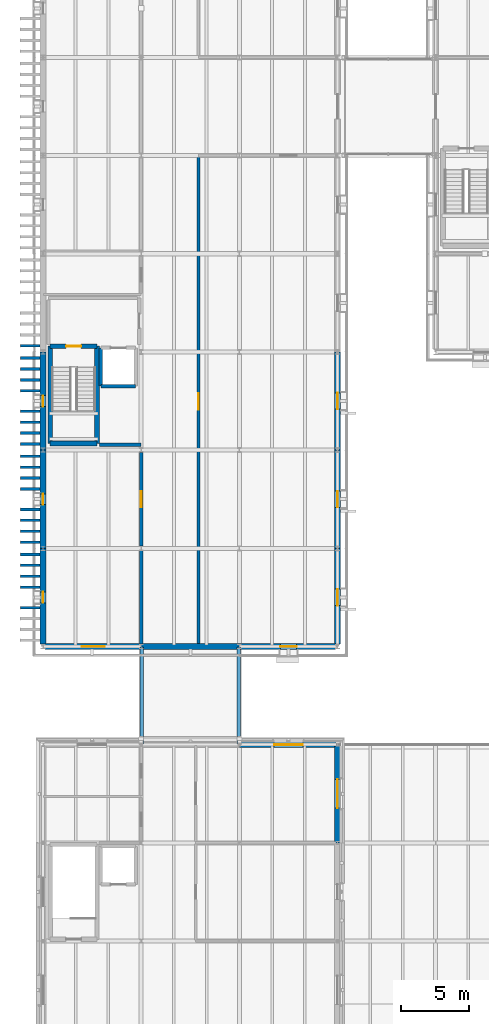
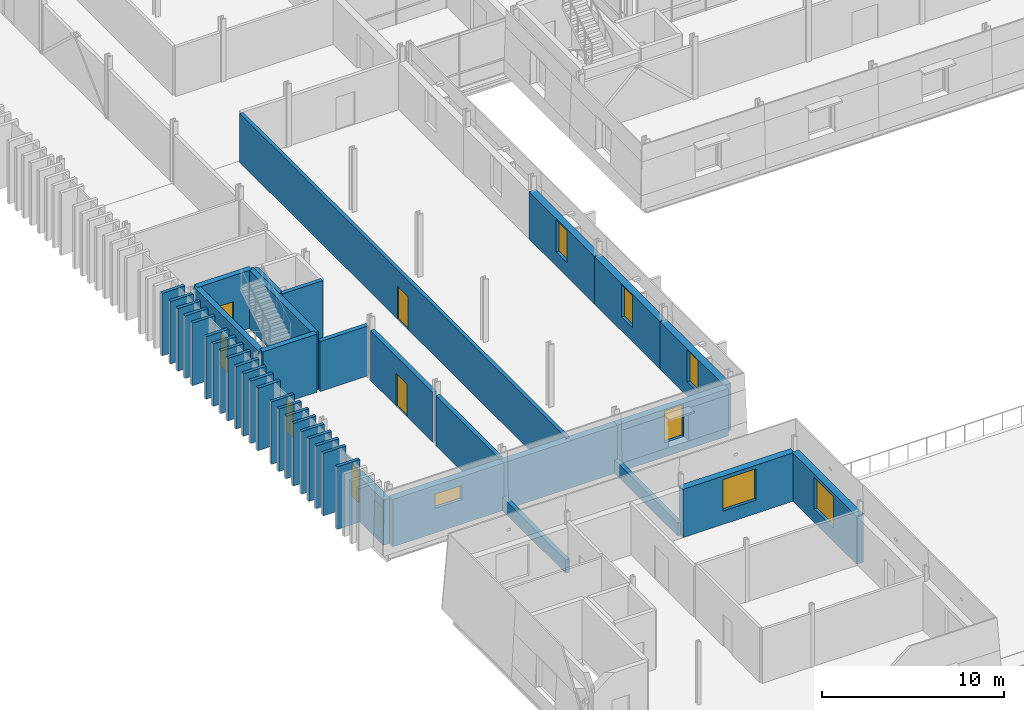
# One storey, part 66 of 115: 45 walls, 10 windows, 3 doors, 13 openings.
"""IFC4 building model written with IfcOpenShell, lengths in metres."""

from ifc_helpers import new_model, si_unit, direction, frame, frame_2d, origin, place, context, subcontext, project, spatial, rectangle, extrude, material, layer, layer_set, type_object, element, fill, save


model = new_model("IFC4")

# Units and contexts
model_context = context("Model", 3, precision=1e-05, world=origin(), true_north=direction((0.0, 1.0)))
body_context = subcontext(model_context, "Body", "Model", "MODEL_VIEW")
ifc_project = project(units=[si_unit("LENGTHUNIT", "METRE"), si_unit("AREAUNIT", "SQUARE_METRE"), si_unit("VOLUMEUNIT", "CUBIC_METRE"), si_unit("PLANEANGLEUNIT", "RADIAN"), si_unit("MASSUNIT", "GRAM", prefix="KILO")], contexts=[model_context])

# Site, building, storey
site_placement = place(None, origin())
site = spatial("IfcSite", under=ifc_project, at=site_placement, CompositionType="ELEMENT")
building_placement = place(site_placement, origin())
building = spatial("IfcBuilding", under=site, at=building_placement, Name="Narikvali Park Central Library", CompositionType="ELEMENT")
storey_placement = place(building_placement, frame((0.0, 0.0, 10.199951171875)))
storey = spatial("IfcBuildingStorey", under=building, at=storey_placement, Name="L02", CompositionType="ELEMENT", Elevation=10.199951171875)

# Wall, opening, door
ifc_material_1 = material(Name="Reinforced Masonry Blockwork C30/37", Category="masonry")
ifc_layer_1 = layer(ifc_material_1, 0.219970703125, Name="Reinforced Masonry Blockwork C30/37")
ifc_layer_set_1 = layer_set([ifc_layer_1], Name="Reinforced Masonry Blockwork C30/37")
wall_type_1 = type_object("IfcWallType", Name="Archive Fire-Resisting Partition 220", PredefinedType="SOLIDWALL", material=ifc_layer_set_1)
wall_1_placement = place(storey_placement, frame((11.39990234375, 28.85498046875, 0.0), z_axis=(0.0, 0.0, 1.0), x_axis=(0.0, 1.0, 0.0)))
wall_1 = element("IfcWall", 1, at=wall_1_placement, inside=storey, type_object=wall_type_1, Name="Closed Book Stacks L02 Partition W", PredefinedType="SOLIDWALL", context=body_context, shape_type="SweptSolid", body=[
    extrude(rectangle(XDim=35.8330078125, YDim=0.219970703125, at=frame_2d((17.91650390625, 0.0))), origin(), (0.0, 0.0, 1.0), 3.28515625),
])
opening_1_placement = place(wall_1_placement, frame((17.31640625, 0.0, 0.0)))
opening_1 = element("IfcOpeningElement", 2, at=opening_1_placement, cuts=wall_1, Name="Opening ID-0126", PredefinedType="OPENING", context=body_context, shape_type="SweptSolid", body=[
    extrude(rectangle(XDim=1.199951171875, YDim=2.199951171875, at=frame_2d((0.60009765625, 1.10009765625))), frame((0.0, 0.1220703125, 0.0), z_axis=(0.0, -1.0, 0.0), x_axis=(1.0, 0.0, 0.0)), (0.0, 0.0, 1.0), 0.243896484375),
])
ifc_material_2 = material(Name="Insulated Steel S355 Vault Leaf", Category="steel")
door_type_1 = type_object("IfcDoorType", Name="Archive Vault Heavy Fire Door 1200x2200", OperationType="SINGLE_SWING_LEFT", PredefinedType="DOOR", material=ifc_material_2)
door_1_placement = place(opening_1_placement, frame((1.199951171875, 0.0, 0.0), z_axis=(0.0, 0.0, 1.0), x_axis=(-1.0, 0.0, 0.0)))
door_1 = element("IfcDoor", 3, at=door_1_placement, inside=storey, type_object=door_type_1, Name="Closed Book Stacks L02 Door ID-0126", OperationType="SINGLE_SWING_RIGHT", OverallHeight=2.199951171875, OverallWidth=1.199951171875, PredefinedType="DOOR", context=body_context, shape_type="SweptSolid", body=[
    extrude(rectangle(XDim=1.199951171875, YDim=2.199951171875, at=frame_2d((0.60009765625, 1.10009765625))), frame((0.0, 0.02490234375, 0.0), z_axis=(0.0, -1.0, 0.0), x_axis=(1.0, 0.0, 0.0)), (0.0, 0.0, 1.0), 0.050048828125),
])
fill(opening_1, door_1)

# Walls
ifc_material_3 = material(Name="Kiln-Fired Terracotta Red Brick Masonry", Category="masonry")
ifc_layer_2 = layer(ifc_material_3, 0.199951171875, Name="Kiln-Fired Terracotta Red Brick Masonry")
ifc_layer_set_2 = layer_set([ifc_layer_2], Name="Kiln-Fired Terracotta Red Brick Masonry")
wall_type_2 = type_object("IfcWallType", Name="Kiln-Fired Red Brick Vertical Fin Wall 200", PredefinedType="SOLIDWALL", material=ifc_layer_set_2)
for number, where, z_axis, x_axis, name in (
    (4, (-1.659912109375, 31.64990234375, 0.0), (0.0, 0.0, 1.0), (1.0, 0.0, 0.0), "West Stacks Red Brick Vertical Fin Pier 015"),
    (5, (-1.659912109375, 33.14990234375, 0.0), (0.0, 0.0, 1.0), (1.0, 0.0, 0.0), "West Stacks Red Brick Vertical Fin Pier 019"),
    (6, (-1.659912109375, 33.949951171875, 0.0), (0.0, 0.0, 1.0), (1.0, 0.0, 0.0), "West Stacks Red Brick Vertical Fin Pier 023"),
    (7, (-1.659912109375, 34.75, 0.0), (0.0, 0.0, 1.0), (1.0, 0.0, 0.0), "West Stacks Red Brick Vertical Fin Pier 027"),
    (8, (-1.659912109375, 35.550048828125, 0.0), (0.0, 0.0, 1.0), (1.0, 0.0, 0.0), "West Stacks Red Brick Vertical Fin Pier 031"),
    (9, (-1.659912109375, 36.449951171875, 0.0), (0.0, 0.0, 1.0), (1.0, 0.0, 0.0), "West Stacks Red Brick Vertical Fin Pier 035"),
    (10, (-1.659912109375, 37.25, 0.0), (0.0, 0.0, 1.0), (1.0, 0.0, 0.0), "West Stacks Red Brick Vertical Fin Pier 040"),
    (11, (-1.659912109375, 38.050048828125, 0.0), (0.0, 0.0, 1.0), (1.0, 0.0, 0.0), "West Stacks Red Brick Vertical Fin Pier 045"),
    (12, (-1.659912109375, 38.85009765625, 0.0), (0.0, 0.0, 1.0), (1.0, 0.0, 0.0), "West Stacks Red Brick Vertical Fin Pier 050"),
    (13, (-1.659912109375, 40.35009765625, 0.0), (0.0, 0.0, 1.0), (1.0, 0.0, 0.0), "West Stacks Red Brick Vertical Fin Pier 055"),
    (14, (-1.659912109375, 41.14990234375, 0.0), (0.0, 0.0, 1.0), (1.0, 0.0, 0.0), "West Stacks Red Brick Vertical Fin Pier 060"),
    (15, (-1.659912109375, 41.949951171875, 0.0), (0.0, 0.0, 1.0), (1.0, 0.0, 0.0), "West Stacks Red Brick Vertical Fin Pier 065"),
    (16, (-1.659912109375, 42.75, 0.0), (0.0, 0.0, 1.0), (1.0, 0.0, 0.0), "West Stacks Red Brick Vertical Fin Pier 070"),
    (17, (-1.659912109375, 43.64990234375, 0.0), (0.0, 0.0, 1.0), (1.0, 0.0, 0.0), "West Stacks Red Brick Vertical Fin Pier 075"),
    (18, (-1.659912109375, 44.449951171875, 0.0), (0.0, 0.0, 1.0), (1.0, 0.0, 0.0), "West Stacks Red Brick Vertical Fin Pier 081"),
    (19, (-1.659912109375, 45.25, 0.0), (0.0, 0.0, 1.0), (1.0, 0.0, 0.0), "West Stacks Red Brick Vertical Fin Pier 087"),
    (20, (-1.659912109375, 46.050048828125, 0.0), (0.0, 0.0, 1.0), (1.0, 0.0, 0.0), "West Stacks Red Brick Vertical Fin Pier 093"),
    (21, (-1.659912109375, 47.550048828125, 0.0), (0.0, 0.0, 1.0), (1.0, 0.0, 0.0), "West Stacks Red Brick Vertical Fin Pier 099"),
    (22, (-1.659912109375, 48.35009765625, 0.0), (0.0, 0.0, 1.0), (1.0, 0.0, 0.0), "West Stacks Red Brick Vertical Fin Pier 105"),
    (23, (-1.659912109375, 49.14990234375, 0.0), (0.0, 0.0, 1.0), (1.0, 0.0, 0.0), "West Stacks Red Brick Vertical Fin Pier 111"),
    (24, (-1.659912109375, 49.949951171875, 0.0), (0.0, 0.0, 1.0), (1.0, 0.0, 0.0), "West Stacks Red Brick Vertical Fin Pier 117"),
    (25, (-1.659912109375, 50.85009765625, 0.0), (0.0, 0.0, 1.0), (1.0, 0.0, 0.0), "West Stacks Red Brick Vertical Fin Pier 123"),
):
    element("IfcWall", number, at=place(storey_placement, frame(where, z_axis=z_axis, x_axis=x_axis)), inside=storey, type_object=wall_type_2, Name=name, PredefinedType="SOLIDWALL", context=body_context, shape_type="SweptSolid", body=[
        extrude(rectangle(XDim=1.43994140625, YDim=0.199951171875, at=frame_2d((0.719970703125, 0.0))), origin(), (0.0, 0.0, 1.0), 4.199951171875),
    ])
ifc_material_4 = material(Name="High-Density Concrete Blockwork C35/45", Category="masonry")
ifc_layer_3 = layer(ifc_material_4, 0.27001953125, Name="High-Density Concrete Blockwork C35/45")
ifc_layer_set_3 = layer_set([ifc_layer_3], Name="High-Density Concrete Blockwork C35/45")
wall_type_3 = type_object("IfcWallType", Name="Rare Books Vault Partition Wall 270", PredefinedType="SOLIDWALL", material=ifc_layer_set_3)
wall_2_placement = place(storey_placement, frame((4.14697265625, 43.60009765625, 0.0), z_axis=(0.0, 0.0, 1.0), x_axis=(1.0, 0.0, 0.0)))
element("IfcWall", 26, at=wall_2_placement, inside=storey, type_object=wall_type_3, Name="Municipal Records Archive L02 Partition N", PredefinedType="SOLIDWALL", context=body_context, shape_type="SweptSolid", body=[
    extrude(rectangle(XDim=3.052978515625, YDim=0.27001953125, at=frame_2d((1.5263671875, 0.0))), origin(), (0.0, 0.0, 1.0), 3.344970703125),
])
wall_3_placement = place(storey_placement, frame((7.199951171875, 28.97412109375, 0.0), z_axis=(0.0, 0.0, 1.0), x_axis=(0.0, 1.0, 0.0)))
element("IfcWall", 27, at=wall_3_placement, inside=storey, type_object=wall_type_3, Name="Municipal Records Archive L02 Partition E", PredefinedType="SOLIDWALL", context=body_context, shape_type="SweptSolid", body=[
    extrude(rectangle(XDim=6.851806640625, YDim=0.27001953125, at=frame_2d((3.42578125, 0.0))), origin(), (0.0, 0.0, 1.0), 3.344970703125),
])

# Wall, opening, door
wall_4_placement = place(storey_placement, frame((7.199951171875, 36.174072265625, 0.0), z_axis=(0.0, 0.0, 1.0), x_axis=(0.0, 1.0, 0.0)))
wall_4 = element("IfcWall", 28, at=wall_4_placement, inside=storey, type_object=wall_type_3, Name="Municipal Records Archive L02 Partition E", PredefinedType="SOLIDWALL", context=body_context, shape_type="SweptSolid", body=[
    extrude(rectangle(XDim=6.851806640625, YDim=0.27001953125, at=frame_2d((3.42578125, 0.0))), origin(), (0.0, 0.0, 1.0), 3.344970703125),
])
opening_2_placement = place(wall_4_placement, frame((2.825927734375, 0.0, 0.0)))
opening_2 = element("IfcOpeningElement", 29, at=opening_2_placement, cuts=wall_4, Name="Opening ID-0123", PredefinedType="OPENING", context=body_context, shape_type="SweptSolid", body=[
    extrude(rectangle(XDim=1.199951171875, YDim=2.199951171875, at=frame_2d((0.60009765625, 1.10009765625))), frame((0.0, 0.14697265625, 0.0), z_axis=(0.0, -1.0, 0.0), x_axis=(1.0, 0.0, 0.0)), (0.0, 0.0, 1.0), 0.2939453125),
])
door_2_placement = place(opening_2_placement, origin())
door_2 = element("IfcDoor", 30, at=door_2_placement, inside=storey, type_object=door_type_1, Name="Municipal Records Archive L02 Door ID-0123", OperationType="SINGLE_SWING_LEFT", OverallHeight=2.199951171875, OverallWidth=1.199951171875, PredefinedType="DOOR", context=body_context, shape_type="SweptSolid", body=[
    extrude(rectangle(XDim=1.199951171875, YDim=2.199951171875, at=frame_2d((0.60009765625, 1.10009765625))), frame((0.0, 0.02490234375, 0.0), z_axis=(0.0, -1.0, 0.0), x_axis=(1.0, 0.0, 0.0)), (0.0, 0.0, 1.0), 0.050048828125),
])
fill(opening_2, door_2)

# Walls
ifc_material_5 = material(Name="Concrete C40/50", Category="concrete")
ifc_layer_4 = layer(ifc_material_5, 0.35009765625, Name="Concrete C40/50")
ifc_layer_set_4 = layer_set([ifc_layer_4], Name="Concrete C40/50")
wall_type_4 = type_object("IfcWallType", Name="Reinforced Concrete Core Shear Wall 350", PredefinedType="SHEAR", material=ifc_layer_set_4)
wall_5_placement = place(storey_placement, frame((0.530029296875, 43.679931640625, 0.0), z_axis=(0.0, 0.0, 1.0), x_axis=(1.0, 0.0, 0.0)))
element("IfcWall", 31, at=wall_5_placement, inside=storey, type_object=wall_type_4, Name="C5A L02 Stair Core Shear Wall S", PredefinedType="SHEAR", context=body_context, shape_type="SweptSolid", body=[
    extrude(rectangle(XDim=3.43994140625, YDim=0.35009765625, at=frame_2d((1.719970703125, 0.0))), origin(), (0.0, 0.0, 1.0), 3.900146484375),
])
wall_6_placement = place(storey_placement, frame((3.969970703125, 43.679931640625, 0.0), z_axis=(0.0, 0.0, 1.0), x_axis=(0.0, 1.0, 0.0)))
element("IfcWall", 32, at=wall_6_placement, inside=storey, type_object=wall_type_4, Name="C5A L02 Stair Core Shear Wall E", PredefinedType="SHEAR", context=body_context, shape_type="SweptSolid", body=[
    extrude(rectangle(XDim=7.14013671875, YDim=0.35009765625, at=frame_2d((3.570068359375, 0.0))), origin(), (0.0, 0.0, 1.0), 3.900146484375),
])

# Wall, opening, door
wall_7_placement = place(storey_placement, frame((3.969970703125, 50.820068359375, 0.0), z_axis=(0.0, 0.0, 1.0), x_axis=(-1.0, 0.0, 0.0)))
wall_7 = element("IfcWall", 33, at=wall_7_placement, inside=storey, type_object=wall_type_4, Name="C5A L02 Stair Core Shear Wall N", PredefinedType="SHEAR", context=body_context, shape_type="SweptSolid", body=[
    extrude(rectangle(XDim=3.43994140625, YDim=0.35009765625, at=frame_2d((1.719970703125, 0.0))), origin(), (0.0, 0.0, 1.0), 3.900146484375),
])
opening_3_placement = place(wall_7_placement, frame((1.169921875, 0.0, 0.0)))
opening_3 = element("IfcOpeningElement", 34, at=opening_3_placement, cuts=wall_7, Name="Opening SD-042", PredefinedType="OPENING", context=body_context, shape_type="SweptSolid", body=[
    extrude(rectangle(XDim=1.10009765625, YDim=2.14990234375, at=frame_2d((0.550048828125, 1.074951171875))), frame((0.0, 0.18701171875, 0.0), z_axis=(0.0, -1.0, 0.0), x_axis=(1.0, 0.0, 0.0)), (0.0, 0.0, 1.0), 0.3740234375),
])
ifc_material_6 = material(Name="Powder-Coated Steel S275 Fire Leaf", Category="steel")
door_type_2 = type_object("IfcDoorType", Name="Stair Core Smoke-Control Fire Door 1100x2150", OperationType="SINGLE_SWING_LEFT", PredefinedType="DOOR", material=ifc_material_6)
door_3_placement = place(opening_3_placement, frame((1.10009765625, 0.0, 0.0), z_axis=(0.0, 0.0, 1.0), x_axis=(-1.0, 0.0, 0.0)))
door_3 = element("IfcDoor", 35, at=door_3_placement, inside=storey, type_object=door_type_2, Name="ST-09 L02 Stair Exit Door SD-042", OperationType="SINGLE_SWING_RIGHT", OverallHeight=2.14990234375, OverallWidth=1.10009765625, PredefinedType="DOOR", context=body_context, shape_type="SweptSolid", body=[
    extrude(rectangle(XDim=1.10009765625, YDim=2.14990234375, at=frame_2d((0.550048828125, 1.074951171875))), frame((0.0, 0.02490234375, 0.0), z_axis=(0.0, -1.0, 0.0), x_axis=(1.0, 0.0, 0.0)), (0.0, 0.0, 1.0), 0.050048828125),
])
fill(opening_3, door_3)

# Walls
wall_8_placement = place(storey_placement, frame((0.530029296875, 50.820068359375, 0.0), z_axis=(0.0, 0.0, 1.0), x_axis=(0.0, -1.0, 0.0)))
element("IfcWall", 36, at=wall_8_placement, inside=storey, type_object=wall_type_4, Name="C5A L02 Stair Core Shear Wall W", PredefinedType="SHEAR", context=body_context, shape_type="SweptSolid", body=[
    extrude(rectangle(XDim=7.14013671875, YDim=0.35009765625, at=frame_2d((3.570068359375, 0.0))), origin(), (0.0, 0.0, 1.0), 3.900146484375),
])
ifc_layer_5 = layer(ifc_material_5, 0.25, Name="Concrete C40/50")
ifc_layer_set_5 = layer_set([ifc_layer_5], Name="Concrete C40/50")
wall_type_5 = type_object("IfcWallType", Name="Reinforced Concrete Lift Shaft Wall 250", PredefinedType="SHEAR", material=ifc_layer_set_5)
wall_9_placement = place(storey_placement, frame((4.25, 47.89990234375, 0.0), z_axis=(0.0, 0.0, 1.0), x_axis=(1.0, 0.0, 0.0)))
element("IfcWall", 37, at=wall_9_placement, inside=storey, type_object=wall_type_5, Name="FF-01 L02 Lift Shaft Wall S", PredefinedType="SHEAR", context=body_context, shape_type="SweptSolid", body=[
    extrude(rectangle(XDim=2.550048828125, YDim=0.25, at=frame_2d((1.27490234375, 0.0))), origin(), (0.0, 0.0, 1.0), 3.900146484375),
])
wall_10_placement = place(storey_placement, frame((4.25, 50.699951171875, 0.0), z_axis=(0.0, 0.0, 1.0), x_axis=(0.0, -1.0, 0.0)))
element("IfcWall", 38, at=wall_10_placement, inside=storey, type_object=wall_type_5, Name="FF-01 L02 Lift Shaft Wall W", PredefinedType="SHEAR", context=body_context, shape_type="SweptSolid", body=[
    extrude(rectangle(XDim=2.800048828125, YDim=0.25, at=frame_2d((1.39990234375, 0.0))), origin(), (0.0, 0.0, 1.0), 3.900146484375),
])
ifc_material_7 = material(Name="White Honed Limestone over Concrete C35/45", Category="masonry")
ifc_layer_6 = layer(ifc_material_7, 0.260009765625, Name="White Honed Limestone over Concrete C35/45")
ifc_layer_set_6 = layer_set([ifc_layer_6], Name="White Honed Limestone over Concrete C35/45")
wall_type_6 = type_object("IfcWallType", Name="Terrace Garden Parapet Wall 260", PredefinedType="PARAPET", material=ifc_layer_set_6)
for number, where, z_axis, x_axis, name in (
    (39, (14.360107421875, 21.639892578125, 0.0), (0.0, 0.0, 1.0), (0.0, 1.0, 0.0), "BRG-5 Roof Parapet E"),
    (40, (7.239990234375, 28.760009765625, 0.0), (0.0, 0.0, 1.0), (0.0, -1.0, 0.0), "BRG-5 Roof Parapet W"),
):
    element("IfcWall", number, at=place(storey_placement, frame(where, z_axis=z_axis, x_axis=x_axis)), inside=storey, type_object=wall_type_6, Name=name, PredefinedType="PARAPET", context=body_context, shape_type="SweptSolid", body=[
        extrude(rectangle(XDim=7.1201171875, YDim=0.260009765625, at=frame_2d((3.56005859375, 0.0))), origin(), (0.0, 0.0, 1.0), 0.900146484375),
    ])

# Wall, opening, window
ifc_layer_7 = layer(ifc_material_7, 0.43994140625, Name="White Honed Limestone over Concrete C35/45")
ifc_layer_set_7 = layer_set([ifc_layer_7], Name="White Honed Limestone over Concrete C35/45")
wall_type_7 = type_object("IfcWallType", Name="White Limestone Battered Tier2 Wall 440", PredefinedType="SOLIDWALL", material=ifc_layer_set_7)
wall_11_placement = place(storey_placement, frame((21.60009765625, 14.39990234375, 0.0), z_axis=(0.0, 0.0, 1.0), x_axis=(0.0, 1.0, 0.0)))
wall_11 = element("IfcWall", 41, at=wall_11_placement, inside=storey, type_object=wall_type_7, Name="V2 L02 E Exterior Limestone Wall B03", PredefinedType="SOLIDWALL", context=body_context, shape_type="SweptSolid", body=[
    extrude(rectangle(XDim=7.086181640625, YDim=0.43994140625, at=frame_2d((3.54296875, 0.0))), origin(), (0.0, 0.0, 1.0), 3.239990234375),
])
opening_4_placement = place(wall_11_placement, frame((2.550048828125, 0.0, 0.89990234375)))
opening_4 = element("IfcOpeningElement", 42, at=opening_4_placement, cuts=wall_11, Name="Opening WIN-0071", PredefinedType="OPENING", context=body_context, shape_type="SweptSolid", body=[
    extrude(rectangle(XDim=2.10009765625, YDim=2.10009765625, at=frame_2d((1.050048828125, 1.050048828125))), frame((0.0, 0.23193359375, 0.0), z_axis=(0.0, -1.0, 0.0), x_axis=(1.0, 0.0, 0.0)), (0.0, 0.0, 1.0), 0.4638671875),
])
ifc_material_8 = material(Name="Anodised Bronze Aluminium and Low-E Triple Glazing", Category="aluminium")
window_type_1 = type_object("IfcWindowType", Name="Children Pavilion Garden Window 2100x2100", PartitioningType="TRIPLE_PANEL_VERTICAL", PredefinedType="WINDOW", material=ifc_material_8)
window_1_placement = place(opening_4_placement, origin())
window_1 = element("IfcWindow", 43, at=window_1_placement, inside=storey, type_object=window_type_1, Name="V2 L02 E Deep-Reveal Window WIN-0071", OverallHeight=2.10009765625, OverallWidth=2.10009765625, PartitioningType="SINGLE_PANEL", PredefinedType="WINDOW", context=body_context, shape_type="SweptSolid", body=[
    extrude(rectangle(XDim=2.10009765625, YDim=2.10009765625, at=frame_2d((1.050048828125, 1.050048828125))), frame((0.0, 0.030029296875, 0.0), z_axis=(0.0, -1.0, 0.0), x_axis=(1.0, 0.0, 0.0)), (0.0, 0.0, 1.0), 0.06005859375),
])
fill(opening_4, window_1)

wall_12_placement = place(storey_placement, frame((21.486083984375, 21.60009765625, 0.0), z_axis=(0.0, 0.0, 1.0), x_axis=(-1.0, 0.0, 0.0)))
wall_12 = element("IfcWall", 44, at=wall_12_placement, inside=storey, type_object=wall_type_7, Name="V2 L02 N Exterior Limestone Wall B01", PredefinedType="SOLIDWALL", context=body_context, shape_type="SweptSolid", body=[
    extrude(rectangle(XDim=7.086181640625, YDim=0.43994140625, at=frame_2d((3.54296875, 0.0))), origin(), (0.0, 0.0, 1.0), 3.239990234375),
])
opening_5_placement = place(wall_12_placement, frame((2.43603515625, 0.0, 0.89990234375)))
opening_5 = element("IfcOpeningElement", 45, at=opening_5_placement, cuts=wall_12, Name="Opening WIN-0072", PredefinedType="OPENING", context=body_context, shape_type="SweptSolid", body=[
    extrude(rectangle(XDim=2.10009765625, YDim=2.10009765625, at=frame_2d((1.050048828125, 1.050048828125))), frame((0.0, 0.23193359375, 0.0), z_axis=(0.0, -1.0, 0.0), x_axis=(1.0, 0.0, 0.0)), (0.0, 0.0, 1.0), 0.4638671875),
])
window_2_placement = place(opening_5_placement, origin())
window_2 = element("IfcWindow", 46, at=window_2_placement, inside=storey, type_object=window_type_1, Name="V2 L02 N Deep-Reveal Window WIN-0072", OverallHeight=2.10009765625, OverallWidth=2.10009765625, PartitioningType="SINGLE_PANEL", PredefinedType="WINDOW", context=body_context, shape_type="SweptSolid", body=[
    extrude(rectangle(XDim=2.10009765625, YDim=2.10009765625, at=frame_2d((1.050048828125, 1.050048828125))), frame((0.0, 0.030029296875, 0.0), z_axis=(0.0, -1.0, 0.0), x_axis=(1.0, 0.0, 0.0)), (0.0, 0.0, 1.0), 0.06005859375),
])
fill(opening_5, window_2)

wall_13_placement = place(storey_placement, frame((0.158935546875, 28.800048828125, 0.0), z_axis=(0.0, 0.0, 1.0), x_axis=(1.0, 0.0, 0.0)))
wall_13 = element("IfcWall", 47, at=wall_13_placement, inside=storey, type_object=wall_type_7, Name="V5 L02 S Exterior Limestone Wall B01", PredefinedType="SOLIDWALL", context=body_context, shape_type="SweptSolid", body=[
    extrude(rectangle(XDim=7.041015625, YDim=0.43994140625, at=frame_2d((3.5205078125, 0.0))), origin(), (0.0, 0.0, 1.0), 3.179931640625),
])
opening_6_placement = place(wall_13_placement, frame((2.67041015625, 0.0, 1.64990234375)))
opening_6 = element("IfcOpeningElement", 48, at=opening_6_placement, cuts=wall_13, Name="Opening SKY-07", PredefinedType="OPENING", context=body_context, shape_type="SweptSolid", body=[
    extrude(rectangle(XDim=1.699951171875, YDim=0.949951171875, at=frame_2d((0.85009765625, 0.47509765625))), frame((0.0, 0.23193359375, 0.0), z_axis=(0.0, -1.0, 0.0), x_axis=(1.0, 0.0, 0.0)), (0.0, 0.0, 1.0), 0.4638671875),
])
ifc_material_9 = material(Name="Laminated Solar-Control Skylight Glazing", Category="glass")
window_type_2 = type_object("IfcWindowType", Name="Gallery Roof Lantern Skylight 1700x1700", PartitioningType="SINGLE_PANEL", PredefinedType="SKYLIGHT", material=ifc_material_9)
window_3_placement = place(opening_6_placement, origin())
window_3 = element("IfcWindow", 49, at=window_3_placement, inside=storey, type_object=window_type_2, Name="V5 Clerestory Lantern Skylight SKY-07", OverallHeight=0.949951171875, OverallWidth=1.699951171875, PartitioningType="SINGLE_PANEL", PredefinedType="SKYLIGHT", context=body_context, shape_type="SweptSolid", body=[
    extrude(rectangle(XDim=1.699951171875, YDim=0.949951171875, at=frame_2d((0.85009765625, 0.47509765625))), frame((0.0, 0.030029296875, 0.0), z_axis=(0.0, -1.0, 0.0), x_axis=(1.0, 0.0, 0.0)), (0.0, 0.0, 1.0), 0.06005859375),
])
fill(opening_6, window_3)

# Wall
wall_14_placement = place(storey_placement, frame((7.199951171875, 28.800048828125, 0.0), z_axis=(0.0, 0.0, 1.0), x_axis=(1.0, 0.0, 0.0)))
element("IfcWall", 50, at=wall_14_placement, inside=storey, type_object=wall_type_7, Name="V5 L02 S Exterior Limestone Wall B02", PredefinedType="SOLIDWALL", context=body_context, shape_type="SweptSolid", body=[
    extrude(rectangle(XDim=7.199951171875, YDim=0.43994140625, at=frame_2d((3.60009765625, 0.0))), origin(), (0.0, 0.0, 1.0), 3.179931640625),
])

# Wall, opening, window
wall_15_placement = place(storey_placement, frame((14.39990234375, 28.800048828125, 0.0), z_axis=(0.0, 0.0, 1.0), x_axis=(1.0, 0.0, 0.0)))
wall_15 = element("IfcWall", 51, at=wall_15_placement, inside=storey, type_object=wall_type_7, Name="V5 L02 S Exterior Limestone Wall B03", PredefinedType="SOLIDWALL", context=body_context, shape_type="SweptSolid", body=[
    extrude(rectangle(XDim=7.041015625, YDim=0.43994140625, at=frame_2d((3.5205078125, 0.0))), origin(), (0.0, 0.0, 1.0), 3.179931640625),
])
opening_7_placement = place(wall_15_placement, frame((3.0, 0.0, 0.949951171875)))
opening_7 = element("IfcOpeningElement", 52, at=opening_7_placement, cuts=wall_15, Name="Opening WIN-0262", PredefinedType="OPENING", context=body_context, shape_type="SweptSolid", body=[
    extrude(rectangle(XDim=1.199951171875, YDim=2.14990234375, at=frame_2d((0.60009765625, 1.074951171875))), frame((0.0, 0.23193359375, 0.0), z_axis=(0.0, -1.0, 0.0), x_axis=(1.0, 0.0, 0.0)), (0.0, 0.0, 1.0), 0.4638671875),
])
window_type_3 = type_object("IfcWindowType", Name="Stacks Archive Deep-Reveal Punched Window 1200x2150", PartitioningType="SINGLE_PANEL", PredefinedType="WINDOW", material=ifc_material_8)
window_4_placement = place(opening_7_placement, origin())
window_4 = element("IfcWindow", 53, at=window_4_placement, inside=storey, type_object=window_type_3, Name="V5 L02 S Deep-Reveal Window WIN-0262", OverallHeight=2.14990234375, OverallWidth=1.199951171875, PartitioningType="SINGLE_PANEL", PredefinedType="WINDOW", context=body_context, shape_type="SweptSolid", body=[
    extrude(rectangle(XDim=1.199951171875, YDim=2.14990234375, at=frame_2d((0.60009765625, 1.074951171875))), frame((0.0, 0.030029296875, 0.0), z_axis=(0.0, -1.0, 0.0), x_axis=(1.0, 0.0, 0.0)), (0.0, 0.0, 1.0), 0.06005859375),
])
fill(opening_7, window_4)

wall_16_placement = place(storey_placement, frame((21.60009765625, 28.97412109375, 0.0), z_axis=(0.0, 0.0, 1.0), x_axis=(0.0, 1.0, 0.0)))
wall_16 = element("IfcWall", 54, at=wall_16_placement, inside=storey, type_object=wall_type_7, Name="V5 L02 E Exterior Limestone Wall B01", PredefinedType="SOLIDWALL", context=body_context, shape_type="SweptSolid", body=[
    extrude(rectangle(XDim=7.02587890625, YDim=0.43994140625, at=frame_2d((3.512939453125, 0.0))), origin(), (0.0, 0.0, 1.0), 3.179931640625),
])
opening_8_placement = place(wall_16_placement, frame((2.825927734375, 0.0, 0.949951171875)))
opening_8 = element("IfcOpeningElement", 55, at=opening_8_placement, cuts=wall_16, Name="Opening WIN-0263", PredefinedType="OPENING", context=body_context, shape_type="SweptSolid", body=[
    extrude(rectangle(XDim=1.199951171875, YDim=2.14990234375, at=frame_2d((0.60009765625, 1.074951171875))), frame((0.0, 0.23193359375, 0.0), z_axis=(0.0, -1.0, 0.0), x_axis=(1.0, 0.0, 0.0)), (0.0, 0.0, 1.0), 0.4638671875),
])
window_5_placement = place(opening_8_placement, origin())
window_5 = element("IfcWindow", 56, at=window_5_placement, inside=storey, type_object=window_type_3, Name="V5 L02 E Deep-Reveal Window WIN-0263", OverallHeight=2.14990234375, OverallWidth=1.199951171875, PartitioningType="SINGLE_PANEL", PredefinedType="WINDOW", context=body_context, shape_type="SweptSolid", body=[
    extrude(rectangle(XDim=1.199951171875, YDim=2.14990234375, at=frame_2d((0.60009765625, 1.074951171875))), frame((0.0, 0.030029296875, 0.0), z_axis=(0.0, -1.0, 0.0), x_axis=(1.0, 0.0, 0.0)), (0.0, 0.0, 1.0), 0.06005859375),
])
fill(opening_8, window_5)

wall_17_placement = place(storey_placement, frame((21.60009765625, 36.0, 0.0), z_axis=(0.0, 0.0, 1.0), x_axis=(0.0, 1.0, 0.0)))
wall_17 = element("IfcWall", 57, at=wall_17_placement, inside=storey, type_object=wall_type_7, Name="V5 L02 E Exterior Limestone Wall B02", PredefinedType="SOLIDWALL", context=body_context, shape_type="SweptSolid", body=[
    extrude(rectangle(XDim=7.199951171875, YDim=0.43994140625, at=frame_2d((3.60009765625, 0.0))), origin(), (0.0, 0.0, 1.0), 3.179931640625),
])
opening_9_placement = place(wall_17_placement, frame((3.0, 0.0, 0.949951171875)))
opening_9 = element("IfcOpeningElement", 58, at=opening_9_placement, cuts=wall_17, Name="Opening WIN-0264", PredefinedType="OPENING", context=body_context, shape_type="SweptSolid", body=[
    extrude(rectangle(XDim=1.199951171875, YDim=2.14990234375, at=frame_2d((0.60009765625, 1.074951171875))), frame((0.0, 0.23193359375, 0.0), z_axis=(0.0, -1.0, 0.0), x_axis=(1.0, 0.0, 0.0)), (0.0, 0.0, 1.0), 0.4638671875),
])
window_6_placement = place(opening_9_placement, origin())
window_6 = element("IfcWindow", 59, at=window_6_placement, inside=storey, type_object=window_type_3, Name="V5 L02 E Deep-Reveal Window WIN-0264", OverallHeight=2.14990234375, OverallWidth=1.199951171875, PartitioningType="SINGLE_PANEL", PredefinedType="WINDOW", context=body_context, shape_type="SweptSolid", body=[
    extrude(rectangle(XDim=1.199951171875, YDim=2.14990234375, at=frame_2d((0.60009765625, 1.074951171875))), frame((0.0, 0.030029296875, 0.0), z_axis=(0.0, -1.0, 0.0), x_axis=(1.0, 0.0, 0.0)), (0.0, 0.0, 1.0), 0.06005859375),
])
fill(opening_9, window_6)

wall_18_placement = place(storey_placement, frame((21.60009765625, 43.199951171875, 0.0), z_axis=(0.0, 0.0, 1.0), x_axis=(0.0, 1.0, 0.0)))
wall_18 = element("IfcWall", 60, at=wall_18_placement, inside=storey, type_object=wall_type_7, Name="V5 L02 E Exterior Limestone Wall B03", PredefinedType="SOLIDWALL", context=body_context, shape_type="SweptSolid", body=[
    extrude(rectangle(XDim=7.199951171875, YDim=0.43994140625, at=frame_2d((3.60009765625, 0.0))), origin(), (0.0, 0.0, 1.0), 3.179931640625),
])
opening_10_placement = place(wall_18_placement, frame((3.0, 0.0, 0.949951171875)))
opening_10 = element("IfcOpeningElement", 61, at=opening_10_placement, cuts=wall_18, Name="Opening WIN-0265", PredefinedType="OPENING", context=body_context, shape_type="SweptSolid", body=[
    extrude(rectangle(XDim=1.199951171875, YDim=2.14990234375, at=frame_2d((0.60009765625, 1.074951171875))), frame((0.0, 0.23193359375, 0.0), z_axis=(0.0, -1.0, 0.0), x_axis=(1.0, 0.0, 0.0)), (0.0, 0.0, 1.0), 0.4638671875),
])
window_7_placement = place(opening_10_placement, origin())
window_7 = element("IfcWindow", 62, at=window_7_placement, inside=storey, type_object=window_type_3, Name="V5 L02 E Deep-Reveal Window WIN-0265", OverallHeight=2.14990234375, OverallWidth=1.199951171875, PartitioningType="SINGLE_PANEL", PredefinedType="WINDOW", context=body_context, shape_type="SweptSolid", body=[
    extrude(rectangle(XDim=1.199951171875, YDim=2.14990234375, at=frame_2d((0.60009765625, 1.074951171875))), frame((0.0, 0.030029296875, 0.0), z_axis=(0.0, -1.0, 0.0), x_axis=(1.0, 0.0, 0.0)), (0.0, 0.0, 1.0), 0.06005859375),
])
fill(opening_10, window_7)

wall_19_placement = place(storey_placement, frame((0.0, 50.39990234375, 0.0), z_axis=(0.0, 0.0, 1.0), x_axis=(0.0, -1.0, 0.0)))
wall_19 = element("IfcWall", 63, at=wall_19_placement, inside=storey, type_object=wall_type_7, Name="V5 L02 W Exterior Limestone Wall B09", PredefinedType="SOLIDWALL", context=body_context, shape_type="SweptSolid", body=[
    extrude(rectangle(XDim=7.199951171875, YDim=0.43994140625, at=frame_2d((3.60009765625, 0.0))), origin(), (0.0, 0.0, 1.0), 3.02001953125),
])
opening_11_placement = place(wall_19_placement, frame((3.199951171875, 0.0, 0.949951171875)))
opening_11 = element("IfcOpeningElement", 64, at=opening_11_placement, cuts=wall_19, Name="Opening WIN-0281", PredefinedType="OPENING", context=body_context, shape_type="SweptSolid", body=[
    extrude(rectangle(XDim=0.800048828125, YDim=2.14990234375, at=frame_2d((0.39990234375, 1.074951171875))), frame((0.0, 0.23193359375, 0.0), z_axis=(0.0, -1.0, 0.0), x_axis=(1.0, 0.0, 0.0)), (0.0, 0.0, 1.0), 0.4638671875),
])
window_type_4 = type_object("IfcWindowType", Name="West Fin-Bay Narrow Carrel Slot Window 800x2150", PartitioningType="SINGLE_PANEL", PredefinedType="WINDOW", material=ifc_material_8)
window_8_placement = place(opening_11_placement, origin())
window_8 = element("IfcWindow", 65, at=window_8_placement, inside=storey, type_object=window_type_4, Name="V5 L02 W Deep-Reveal Window WIN-0281", OverallHeight=2.14990234375, OverallWidth=0.800048828125, PartitioningType="SINGLE_PANEL", PredefinedType="WINDOW", context=body_context, shape_type="SweptSolid", body=[
    extrude(rectangle(XDim=0.800048828125, YDim=2.14990234375, at=frame_2d((0.39990234375, 1.074951171875))), frame((0.0, 0.030029296875, 0.0), z_axis=(0.0, -1.0, 0.0), x_axis=(1.0, 0.0, 0.0)), (0.0, 0.0, 1.0), 0.06005859375),
])
fill(opening_11, window_8)

wall_20_placement = place(storey_placement, frame((0.0, 43.199951171875, 0.0), z_axis=(0.0, 0.0, 1.0), x_axis=(0.0, -1.0, 0.0)))
wall_20 = element("IfcWall", 66, at=wall_20_placement, inside=storey, type_object=wall_type_7, Name="V5 L02 W Exterior Limestone Wall B10", PredefinedType="SOLIDWALL", context=body_context, shape_type="SweptSolid", body=[
    extrude(rectangle(XDim=7.199951171875, YDim=0.43994140625, at=frame_2d((3.60009765625, 0.0))), origin(), (0.0, 0.0, 1.0), 3.02001953125),
])
opening_12_placement = place(wall_20_placement, frame((3.199951171875, 0.0, 0.949951171875)))
opening_12 = element("IfcOpeningElement", 67, at=opening_12_placement, cuts=wall_20, Name="Opening WIN-0282", PredefinedType="OPENING", context=body_context, shape_type="SweptSolid", body=[
    extrude(rectangle(XDim=0.800048828125, YDim=2.14990234375, at=frame_2d((0.39990234375, 1.074951171875))), frame((0.0, 0.23193359375, 0.0), z_axis=(0.0, -1.0, 0.0), x_axis=(1.0, 0.0, 0.0)), (0.0, 0.0, 1.0), 0.4638671875),
])
window_9_placement = place(opening_12_placement, origin())
window_9 = element("IfcWindow", 68, at=window_9_placement, inside=storey, type_object=window_type_4, Name="V5 L02 W Deep-Reveal Window WIN-0282", OverallHeight=2.14990234375, OverallWidth=0.800048828125, PartitioningType="SINGLE_PANEL", PredefinedType="WINDOW", context=body_context, shape_type="SweptSolid", body=[
    extrude(rectangle(XDim=0.800048828125, YDim=2.14990234375, at=frame_2d((0.39990234375, 1.074951171875))), frame((0.0, 0.030029296875, 0.0), z_axis=(0.0, -1.0, 0.0), x_axis=(1.0, 0.0, 0.0)), (0.0, 0.0, 1.0), 0.06005859375),
])
fill(opening_12, window_9)

wall_21_placement = place(storey_placement, frame((0.0, 36.0, 0.0), z_axis=(0.0, 0.0, 1.0), x_axis=(0.0, -1.0, 0.0)))
wall_21 = element("IfcWall", 69, at=wall_21_placement, inside=storey, type_object=wall_type_7, Name="V5 L02 W Exterior Limestone Wall B11", PredefinedType="SOLIDWALL", context=body_context, shape_type="SweptSolid", body=[
    extrude(rectangle(XDim=7.02587890625, YDim=0.43994140625, at=frame_2d((3.512939453125, 0.0))), origin(), (0.0, 0.0, 1.0), 3.02001953125),
])
opening_13_placement = place(wall_21_placement, frame((3.199951171875, 0.0, 0.949951171875)))
opening_13 = element("IfcOpeningElement", 70, at=opening_13_placement, cuts=wall_21, Name="Opening WIN-0283", PredefinedType="OPENING", context=body_context, shape_type="SweptSolid", body=[
    extrude(rectangle(XDim=0.800048828125, YDim=2.14990234375, at=frame_2d((0.39990234375, 1.074951171875))), frame((0.0, 0.23193359375, 0.0), z_axis=(0.0, -1.0, 0.0), x_axis=(1.0, 0.0, 0.0)), (0.0, 0.0, 1.0), 0.4638671875),
])
window_10_placement = place(opening_13_placement, origin())
window_10 = element("IfcWindow", 71, at=window_10_placement, inside=storey, type_object=window_type_4, Name="V5 L02 W Deep-Reveal Window WIN-0283", OverallHeight=2.14990234375, OverallWidth=0.800048828125, PartitioningType="SINGLE_PANEL", PredefinedType="WINDOW", context=body_context, shape_type="SweptSolid", body=[
    extrude(rectangle(XDim=0.800048828125, YDim=2.14990234375, at=frame_2d((0.39990234375, 1.074951171875))), frame((0.0, 0.030029296875, 0.0), z_axis=(0.0, -1.0, 0.0), x_axis=(1.0, 0.0, 0.0)), (0.0, 0.0, 1.0), 0.06005859375),
])
fill(opening_13, window_10)

save(model, "model.ifc")
